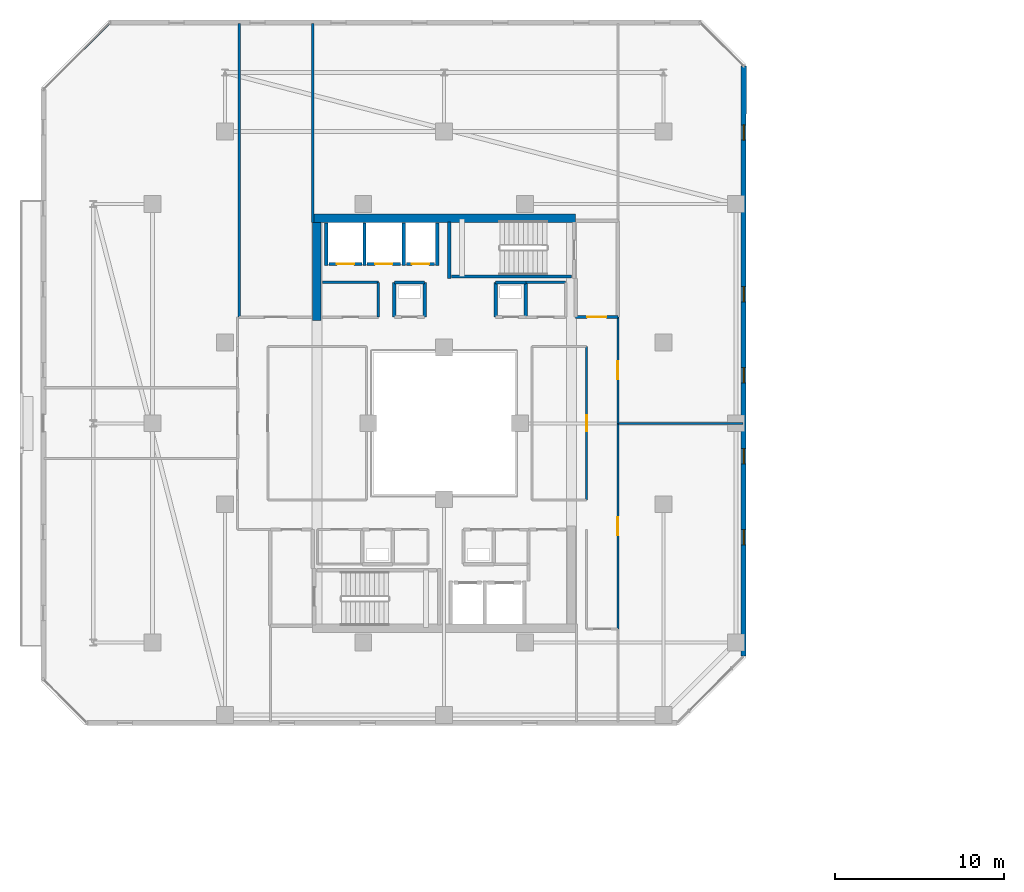
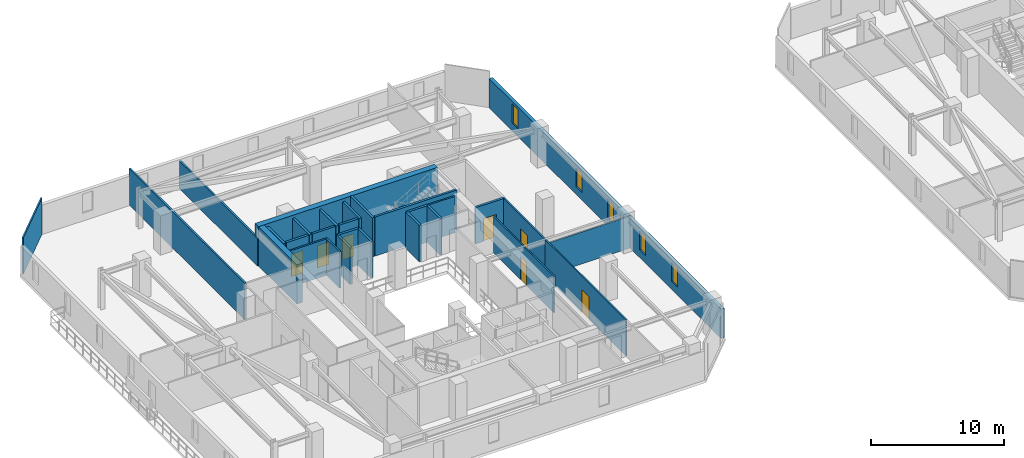
# One storey, part 21 of 33: 29 walls, 7 doors, 5 windows, 12 openings.
"""IFC4 building model written with IfcOpenShell, lengths in metres."""

from ifc_helpers import new_model, si_unit, direction, frame, frame_2d, origin, place, context, subcontext, project, spatial, rectangle, extrude, material, layer, layer_set, type_object, element, fill, save


model = new_model("IFC4")

# Units and contexts
model_context = context("Model", 3, precision=1e-05, world=origin(), true_north=direction((0.0, 1.0)))
body_context = subcontext(model_context, "Body", "Model", "MODEL_VIEW")
ifc_project = project(units=[si_unit("LENGTHUNIT", "METRE"), si_unit("AREAUNIT", "SQUARE_METRE"), si_unit("VOLUMEUNIT", "CUBIC_METRE"), si_unit("PLANEANGLEUNIT", "RADIAN"), si_unit("MASSUNIT", "GRAM", prefix="KILO")], contexts=[model_context])

# Site, building, storey
site_placement = place(None, origin())
site = spatial("IfcSite", under=ifc_project, at=site_placement, CompositionType="ELEMENT")
building_placement = place(site_placement, origin())
building = spatial("IfcBuilding", under=site, at=building_placement, Name="Thornwick Lancets Civic Towers", CompositionType="ELEMENT")
storey_placement = place(building_placement, frame((0.0, 0.0, 203.699951171875)))
storey = spatial("IfcBuildingStorey", under=building, at=storey_placement, Name="L54", CompositionType="ELEMENT", Elevation=203.699951171875)

# Wall, opening, door
ifc_material_1 = material(Name="Concrete blockwork C40/50", Category="masonry")
ifc_layer_1 = layer(ifc_material_1, 0.199951171875, Name="Concrete blockwork C40/50")
ifc_layer_set_1 = layer_set([ifc_layer_1], Name="Concrete blockwork C40/50")
wall_type_1 = type_object("IfcWallType", Name="WALL_COMP_200", PredefinedType="STANDARD", material=ifc_layer_set_1)
wall_1_placement = place(storey_placement, frame((24.919921875, 36.449951171875, 0.0), z_axis=(0.0, 0.0, 1.0), x_axis=(-1.0, 0.0, 0.0)))
wall_1 = element("IfcWall", 1, at=wall_1_placement, inside=storey, type_object=wall_type_1, Name="L54 Hoistway Front Wall FL-A2", PredefinedType="STANDARD", context=body_context, shape_type="SweptSolid", body=[
    extrude(rectangle(XDim=1.639892578125, YDim=0.199951171875, at=frame_2d((0.81982421875, 0.0))), origin(), (0.0, 0.0, 1.0), 3.340087890625),
])
opening_1_placement = place(wall_1_placement, frame((0.31005859375, 0.0, 0.0)))
opening_1 = element("IfcOpeningElement", 2, at=opening_1_placement, cuts=wall_1, Name="Opening LD-FL-A2", PredefinedType="OPENING", context=body_context, shape_type="SweptSolid", body=[
    extrude(rectangle(XDim=1.02001953125, YDim=2.06005859375, at=frame_2d((0.510009765625, 1.030029296875))), frame((0.0, 0.10986328125, 0.0), z_axis=(0.0, -1.0, 0.0), x_axis=(1.0, 0.0, 0.0)), (0.0, 0.0, 1.0), 0.219970703125),
])
ifc_material_2 = material(Name="Brushed bronze stainless steel", Category="steel")
door_type_1 = type_object("IfcDoorType", Name="DOOR_LIFT_SLIDE", OperationType="SLIDING_TO_LEFT", PredefinedType="DOOR", material=ifc_material_2)
door_1_placement = place(opening_1_placement, origin())
door_1 = element("IfcDoor", 3, at=door_1_placement, inside=storey, type_object=door_type_1, Name="L54 Sliding Lift Landing Door LD-FL-A2", OperationType="SLIDING_TO_LEFT", OverallHeight=2.06005859375, OverallWidth=1.02001953125, PredefinedType="DOOR", context=body_context, shape_type="SweptSolid", body=[
    extrude(rectangle(XDim=1.02001953125, YDim=2.06005859375, at=frame_2d((0.510009765625, 1.030029296875))), frame((0.0, 0.02490234375, 0.0), z_axis=(0.0, -1.0, 0.0), x_axis=(1.0, 0.0, 0.0)), (0.0, 0.0, 1.0), 0.050048828125),
])
fill(opening_1, door_1)

wall_2_placement = place(storey_placement, frame((22.919921875, 36.449951171875, 0.0), z_axis=(0.0, 0.0, 1.0), x_axis=(-1.0, 0.0, 0.0)))
wall_2 = element("IfcWall", 4, at=wall_2_placement, inside=storey, type_object=wall_type_1, Name="L54 Hoistway Front Wall PL-AH2", PredefinedType="STANDARD", context=body_context, shape_type="SweptSolid", body=[
    extrude(rectangle(XDim=1.989990234375, YDim=0.199951171875, at=frame_2d((0.9951171875, 0.0))), origin(), (0.0, 0.0, 1.0), 3.340087890625),
])
opening_2_placement = place(wall_2_placement, frame((0.485107421875, 0.0, 0.0)))
opening_2 = element("IfcOpeningElement", 5, at=opening_2_placement, cuts=wall_2, Name="Opening LD-PL-AH2", PredefinedType="OPENING", context=body_context, shape_type="SweptSolid", body=[
    extrude(rectangle(XDim=1.02001953125, YDim=2.06005859375, at=frame_2d((0.510009765625, 1.030029296875))), frame((0.0, 0.10986328125, 0.0), z_axis=(0.0, -1.0, 0.0), x_axis=(1.0, 0.0, 0.0)), (0.0, 0.0, 1.0), 0.219970703125),
])
door_2_placement = place(opening_2_placement, origin())
door_2 = element("IfcDoor", 6, at=door_2_placement, inside=storey, type_object=door_type_1, Name="L54 Sliding Lift Landing Door LD-PL-AH2", OperationType="SLIDING_TO_LEFT", OverallHeight=2.06005859375, OverallWidth=1.02001953125, PredefinedType="DOOR", context=body_context, shape_type="SweptSolid", body=[
    extrude(rectangle(XDim=1.02001953125, YDim=2.06005859375, at=frame_2d((0.510009765625, 1.030029296875))), frame((0.0, 0.02490234375, 0.0), z_axis=(0.0, -1.0, 0.0), x_axis=(1.0, 0.0, 0.0)), (0.0, 0.0, 1.0), 0.050048828125),
])
fill(opening_2, door_2)

wall_3_placement = place(storey_placement, frame((20.6201171875, 36.449951171875, 0.0), z_axis=(0.0, 0.0, 1.0), x_axis=(-1.0, 0.0, 0.0)))
wall_3 = element("IfcWall", 7, at=wall_3_placement, inside=storey, type_object=wall_type_1, Name="L54 Hoistway Front Wall PL-AH3", PredefinedType="STANDARD", context=body_context, shape_type="SweptSolid", body=[
    extrude(rectangle(XDim=1.940185546875, YDim=0.199951171875, at=frame_2d((0.97021484375, 0.0))), origin(), (0.0, 0.0, 1.0), 3.340087890625),
])
opening_3_placement = place(wall_3_placement, frame((0.4599609375, 0.0, 0.0)))
opening_3 = element("IfcOpeningElement", 8, at=opening_3_placement, cuts=wall_3, Name="Opening LD-PL-AH3", PredefinedType="OPENING", context=body_context, shape_type="SweptSolid", body=[
    extrude(rectangle(XDim=1.02001953125, YDim=2.06005859375, at=frame_2d((0.510009765625, 1.030029296875))), frame((0.0, 0.10986328125, 0.0), z_axis=(0.0, -1.0, 0.0), x_axis=(1.0, 0.0, 0.0)), (0.0, 0.0, 1.0), 0.219970703125),
])
door_3_placement = place(opening_3_placement, origin())
door_3 = element("IfcDoor", 9, at=door_3_placement, inside=storey, type_object=door_type_1, Name="L54 Sliding Lift Landing Door LD-PL-AH3", OperationType="SLIDING_TO_LEFT", OverallHeight=2.06005859375, OverallWidth=1.02001953125, PredefinedType="DOOR", context=body_context, shape_type="SweptSolid", body=[
    extrude(rectangle(XDim=1.02001953125, YDim=2.06005859375, at=frame_2d((0.510009765625, 1.030029296875))), frame((0.0, 0.02490234375, 0.0), z_axis=(0.0, -1.0, 0.0), x_axis=(1.0, 0.0, 0.0)), (0.0, 0.0, 1.0), 0.050048828125),
])
fill(opening_3, door_3)

# Walls
for number, where, z_axis, x_axis, name in (
    (10, (25.10009765625, 36.35205078125, 0.0), (0.0, 0.0, 1.0), (0.0, 1.0, 0.0), "L54 Hoistway Shaft Wall FL-A2 E"),
    (11, (23.10009765625, 36.35205078125, 0.0), (0.0, 0.0, 1.0), (0.0, 1.0, 0.0), "L54 Hoistway Shaft Wall FL-A2 W"),
    (12, (20.77490234375, 36.35205078125, 0.0), (0.0, 0.0, 1.0), (0.0, 1.0, 0.0), "L54 Hoistway Shaft Wall PL-AH2 W"),
    (13, (18.5, 36.35205078125, 0.0), (0.0, 0.0, 1.0), (0.0, 1.0, 0.0), "L54 Hoistway Shaft Wall PL-AH3 W"),
):
    element("IfcWall", number, at=place(storey_placement, frame(where, z_axis=z_axis, x_axis=x_axis)), inside=storey, type_object=wall_type_1, Name=name, PredefinedType="STANDARD", context=body_context, shape_type="SweptSolid", body=[
        extrude(rectangle(XDim=2.535888671875, YDim=0.199951171875, at=frame_2d((1.26806640625, 0.0))), origin(), (0.0, 0.0, 1.0), 3.340087890625),
    ])

# Wall, opening, door
wall_4_placement = place(storey_placement, frame((33.300048828125, 33.300048828125, 0.0), z_axis=(0.0, 0.0, 1.0), x_axis=(1.0, 0.0, 0.0)))
wall_4 = element("IfcWall", 14, at=wall_4_placement, inside=storey, type_object=wall_type_1, Name="L54 Partition L54-A-FFLOB2 E1", PredefinedType="STANDARD", context=body_context, shape_type="SweptSolid", body=[
    extrude(rectangle(XDim=2.5, YDim=0.199951171875, at=frame_2d((1.25, 0.0))), origin(), (0.0, 0.0, 1.0), 3.340087890625),
])
opening_4_placement = place(wall_4_placement, frame((0.675048828125, 0.0, 0.0)))
opening_4 = element("IfcOpeningElement", 15, at=opening_4_placement, cuts=wall_4, Name="Opening D-L54-2388", PredefinedType="OPENING", context=body_context, shape_type="SweptSolid", body=[
    extrude(rectangle(XDim=1.14990234375, YDim=2.10009765625, at=frame_2d((0.574951171875, 1.050048828125))), frame((0.0, 0.10986328125, 0.0), z_axis=(0.0, -1.0, 0.0), x_axis=(1.0, 0.0, 0.0)), (0.0, 0.0, 1.0), 0.219970703125),
])
ifc_material_3 = material(Name="Glazed fire-resisting steel", Category="steel")
door_type_2 = type_object("IfcDoorType", Name="DOOR_LOBBY_FD60", OperationType="NOTDEFINED", PredefinedType="DOOR", material=ifc_material_3)
door_4_placement = place(opening_4_placement, origin())
door_4 = element("IfcDoor", 16, at=door_4_placement, inside=storey, type_object=door_type_2, Name="L54 North Firefighting Lobby 2 Door", OperationType="SINGLE_SWING_LEFT", OverallHeight=2.10009765625, OverallWidth=1.14990234375, PredefinedType="DOOR", context=body_context, shape_type="SweptSolid", body=[
    extrude(rectangle(XDim=1.14990234375, YDim=2.10009765625, at=frame_2d((0.574951171875, 1.050048828125))), frame((0.0, 0.02490234375, 0.0), z_axis=(0.0, -1.0, 0.0), x_axis=(1.0, 0.0, 0.0)), (0.0, 0.0, 1.0), 0.050048828125),
])
fill(opening_4, door_4)

# Walls
wall_5_placement = place(storey_placement, frame((24.35009765625, 33.300048828125, 0.0), z_axis=(0.0, 0.0, 1.0), x_axis=(0.0, 1.0, 0.0)))
element("IfcWall", 17, at=wall_5_placement, inside=storey, type_object=wall_type_1, Name="L54 Partition L54-A-DUCT2 E2", PredefinedType="STANDARD", context=body_context, shape_type="SweptSolid", body=[
    extrude(rectangle(XDim=2.050048828125, YDim=0.199951171875, at=frame_2d((1.02490234375, 0.0))), origin(), (0.0, 0.0, 1.0), 3.340087890625),
])
wall_6_placement = place(storey_placement, frame((24.35009765625, 35.35009765625, 0.0), z_axis=(0.0, 0.0, 1.0), x_axis=(-1.0, 0.0, 0.0)))
element("IfcWall", 18, at=wall_6_placement, inside=storey, type_object=wall_type_1, Name="L54 Partition L54-A-DUCT2 E3", PredefinedType="STANDARD", context=body_context, shape_type="SweptSolid", body=[
    extrude(rectangle(XDim=1.800048828125, YDim=0.199951171875, at=frame_2d((0.89990234375, 0.0))), origin(), (0.0, 0.0, 1.0), 3.340087890625),
])
for number, where, z_axis, x_axis, name in (
    (19, (22.550048828125, 35.35009765625, 0.0), (0.0, 0.0, 1.0), (0.0, -1.0, 0.0), "L54 Partition L54-A-DUCT2 E4"),
    (20, (30.35009765625, 33.300048828125, 0.0), (0.0, 0.0, 1.0), (0.0, 1.0, 0.0), "L54 Partition L54-A-RISER2 E2"),
):
    element("IfcWall", number, at=place(storey_placement, frame(where, z_axis=z_axis, x_axis=x_axis)), inside=storey, type_object=wall_type_1, Name=name, PredefinedType="STANDARD", context=body_context, shape_type="SweptSolid", body=[
        extrude(rectangle(XDim=2.050048828125, YDim=0.199951171875, at=frame_2d((1.02490234375, 0.0))), origin(), (0.0, 0.0, 1.0), 3.340087890625),
    ])
wall_7_placement = place(storey_placement, frame((30.35009765625, 35.35009765625, 0.0), z_axis=(0.0, 0.0, 1.0), x_axis=(-1.0, 0.0, 0.0)))
element("IfcWall", 21, at=wall_7_placement, inside=storey, type_object=wall_type_1, Name="L54 Partition L54-A-RISER2 E3", PredefinedType="STANDARD", context=body_context, shape_type="SweptSolid", body=[
    extrude(rectangle(XDim=1.800048828125, YDim=0.199951171875, at=frame_2d((0.89990234375, 0.0))), origin(), (0.0, 0.0, 1.0), 3.340087890625),
])
wall_8_placement = place(storey_placement, frame((28.550048828125, 35.35009765625, 0.0), z_axis=(0.0, 0.0, 1.0), x_axis=(0.0, -1.0, 0.0)))
element("IfcWall", 22, at=wall_8_placement, inside=storey, type_object=wall_type_1, Name="L54 Partition L54-A-RISER2 E4", PredefinedType="STANDARD", context=body_context, shape_type="SweptSolid", body=[
    extrude(rectangle(XDim=2.050048828125, YDim=0.199951171875, at=frame_2d((1.02490234375, 0.0))), origin(), (0.0, 0.0, 1.0), 3.340087890625),
])
ifc_material_4 = material(Name="Concrete C50/60", Category="concrete")
ifc_layer_2 = layer(ifc_material_4, 0.5, Name="Concrete C50/60")
ifc_layer_set_2 = layer_set([ifc_layer_2], Name="Concrete C50/60")
wall_type_2 = type_object("IfcWallType", Name="WALL_CORE_500", PredefinedType="SHEAR", material=ifc_layer_set_2)
wall_9_placement = place(storey_placement, frame((17.699951171875, 39.14990234375, 0.0), z_axis=(0.0, 0.0, 1.0), x_axis=(1.0, 0.0, 0.0)))
element("IfcWall", 23, at=wall_9_placement, inside=storey, type_object=wall_type_2, Name="L54 Split Core A2 Shear Wall N", PredefinedType="SHEAR", context=body_context, shape_type="SweptSolid", body=[
    extrude(rectangle(XDim=15.60009765625, YDim=0.5, at=frame_2d((7.800048828125, 0.0))), origin(), (0.0, 0.0, 1.0), 3.60009765625),
])
wall_10_placement = place(storey_placement, frame((17.949951171875, 33.10009765625, 0.0), z_axis=(0.0, 0.0, 1.0), x_axis=(0.0, 1.0, 0.0)))
element("IfcWall", 24, at=wall_10_placement, inside=storey, type_object=wall_type_2, Name="L54 Split Core A2 Shear Wall W", PredefinedType="SHEAR", context=body_context, shape_type="SweptSolid", body=[
    extrude(rectangle(XDim=5.7998046875, YDim=0.5, at=frame_2d((2.89990234375, 0.0))), origin(), (0.0, 0.0, 1.0), 3.60009765625),
])

# Wall, openings, windows
ifc_material_5 = material(Name="Insulated russet terracotta rainscreen on concrete C40/50", Category="masonry")
ifc_layer_3 = layer(ifc_material_5, 0.300048828125, Name="Insulated russet terracotta rainscreen on concrete C40/50")
ifc_layer_set_3 = layer_set([ifc_layer_3], Name="Insulated russet terracotta rainscreen on concrete C40/50")
wall_type_3 = type_object("IfcWallType", Name="WALL_EXT_RUSSET_300", PredefinedType="STANDARD", material=ifc_layer_set_3)
wall_11_placement = place(storey_placement, frame((43.260009765625, 13.1982421875, 0.0), z_axis=(0.0, 0.0, 1.0), x_axis=(0.000132597301, 0.999999991209, 0.0)))
wall_11 = element("IfcWall", 25, at=wall_11_placement, inside=storey, type_object=wall_type_3, Name="L54 Tower A Terracotta Facade Wall E2", PredefinedType="STANDARD", context=body_context, shape_type="SweptSolid", body=[
    extrude(rectangle(XDim=34.983154296875, YDim=0.300048828125, at=frame_2d((17.49169921875, 0.0))), origin(), (0.0, 0.0, 1.0), 2.699951171875),
])
opening_5_placement = place(wall_11_placement, frame((6.60009765625, 0.0, 0.719970703125)))
opening_5 = element("IfcOpeningElement", 26, at=opening_5_placement, cuts=wall_11, Name="Opening WL-01", PredefinedType="OPENING", context=body_context, shape_type="SweptSolid", body=[
    extrude(rectangle(XDim=0.89990234375, YDim=1.75, at=frame_2d((0.449951171875, 0.875))), frame((0.0, 0.16015625, 0.0), z_axis=(0.0, -1.0, 0.0), x_axis=(1.0, 0.0, 0.0)), (0.0, 0.0, 1.0), 0.320068359375),
])
opening_6_placement = place(wall_11_placement, frame((11.39990234375, 0.0, 0.719970703125)))
opening_6 = element("IfcOpeningElement", 27, at=opening_6_placement, cuts=wall_11, Name="Opening WL-01", PredefinedType="OPENING", context=body_context, shape_type="SweptSolid", body=[
    extrude(rectangle(XDim=0.89990234375, YDim=1.75, at=frame_2d((0.449951171875, 0.875))), frame((0.0, 0.16015625, 0.0), z_axis=(0.0, -1.0, 0.0), x_axis=(1.0, 0.0, 0.0)), (0.0, 0.0, 1.0), 0.320068359375),
])
opening_7_placement = place(wall_11_placement, frame((16.199951171875, 0.0, 0.719970703125)))
opening_7 = element("IfcOpeningElement", 28, at=opening_7_placement, cuts=wall_11, Name="Opening WL-01", PredefinedType="OPENING", context=body_context, shape_type="SweptSolid", body=[
    extrude(rectangle(XDim=0.89990234375, YDim=1.75, at=frame_2d((0.449951171875, 0.875))), frame((0.0, 0.16015625, 0.0), z_axis=(0.0, -1.0, 0.0), x_axis=(1.0, 0.0, 0.0)), (0.0, 0.0, 1.0), 0.320068359375),
])
opening_8_placement = place(wall_11_placement, frame((21.0, 0.0, 0.719970703125)))
opening_8 = element("IfcOpeningElement", 29, at=opening_8_placement, cuts=wall_11, Name="Opening WL-01", PredefinedType="OPENING", context=body_context, shape_type="SweptSolid", body=[
    extrude(rectangle(XDim=0.89990234375, YDim=1.75, at=frame_2d((0.449951171875, 0.875))), frame((0.0, 0.16015625, 0.0), z_axis=(0.0, -1.0, 0.0), x_axis=(1.0, 0.0, 0.0)), (0.0, 0.0, 1.0), 0.320068359375),
])
opening_9_placement = place(wall_11_placement, frame((30.60009765625, 0.0, 0.719970703125)))
opening_9 = element("IfcOpeningElement", 30, at=opening_9_placement, cuts=wall_11, Name="Opening WL-01", PredefinedType="OPENING", context=body_context, shape_type="SweptSolid", body=[
    extrude(rectangle(XDim=0.89990234375, YDim=1.75, at=frame_2d((0.449951171875, 0.875))), frame((0.0, 0.16015625, 0.0), z_axis=(0.0, -1.0, 0.0), x_axis=(1.0, 0.0, 0.0)), (0.0, 0.0, 1.0), 0.320068359375),
])
ifc_material_6 = material(Name="Clear low-e double glazing in bronze frame", Category="glass")
window_type = type_object("IfcWindowType", Name="WIN_LANCET_900", PartitioningType="SINGLE_PANEL", PredefinedType="WINDOW", material=ifc_material_6)
window_1_placement = place(opening_5_placement, origin())
window_1 = element("IfcWindow", 31, at=window_1_placement, inside=storey, type_object=window_type, Name="L54 Tower A Staggered Lancet Window E2-1", OverallHeight=1.75, OverallWidth=0.89990234375, PartitioningType="SINGLE_PANEL", PredefinedType="WINDOW", context=body_context, shape_type="SweptSolid", body=[
    extrude(rectangle(XDim=0.89990234375, YDim=1.75, at=frame_2d((0.449951171875, 0.875))), frame((0.0, 0.030029296875, 0.0), z_axis=(0.0, -1.0, 0.0), x_axis=(1.0, 0.0, 0.0)), (0.0, 0.0, 1.0), 0.06005859375),
])
fill(opening_5, window_1)
window_2_placement = place(opening_6_placement, origin())
window_2 = element("IfcWindow", 32, at=window_2_placement, inside=storey, type_object=window_type, Name="L54 Tower A Staggered Lancet Window E2-2", OverallHeight=1.75, OverallWidth=0.89990234375, PartitioningType="SINGLE_PANEL", PredefinedType="WINDOW", context=body_context, shape_type="SweptSolid", body=[
    extrude(rectangle(XDim=0.89990234375, YDim=1.75, at=frame_2d((0.449951171875, 0.875))), frame((0.0, 0.030029296875, 0.0), z_axis=(0.0, -1.0, 0.0), x_axis=(1.0, 0.0, 0.0)), (0.0, 0.0, 1.0), 0.06005859375),
])
fill(opening_6, window_2)
window_3_placement = place(opening_7_placement, origin())
window_3 = element("IfcWindow", 33, at=window_3_placement, inside=storey, type_object=window_type, Name="L54 Tower A Staggered Lancet Window E2-3", OverallHeight=1.75, OverallWidth=0.89990234375, PartitioningType="SINGLE_PANEL", PredefinedType="WINDOW", context=body_context, shape_type="SweptSolid", body=[
    extrude(rectangle(XDim=0.89990234375, YDim=1.75, at=frame_2d((0.449951171875, 0.875))), frame((0.0, 0.030029296875, 0.0), z_axis=(0.0, -1.0, 0.0), x_axis=(1.0, 0.0, 0.0)), (0.0, 0.0, 1.0), 0.06005859375),
])
fill(opening_7, window_3)
window_4_placement = place(opening_8_placement, origin())
window_4 = element("IfcWindow", 34, at=window_4_placement, inside=storey, type_object=window_type, Name="L54 Tower A Staggered Lancet Window E2-4", OverallHeight=1.75, OverallWidth=0.89990234375, PartitioningType="SINGLE_PANEL", PredefinedType="WINDOW", context=body_context, shape_type="SweptSolid", body=[
    extrude(rectangle(XDim=0.89990234375, YDim=1.75, at=frame_2d((0.449951171875, 0.875))), frame((0.0, 0.030029296875, 0.0), z_axis=(0.0, -1.0, 0.0), x_axis=(1.0, 0.0, 0.0)), (0.0, 0.0, 1.0), 0.06005859375),
])
fill(opening_8, window_4)
window_5_placement = place(opening_9_placement, origin())
window_5 = element("IfcWindow", 35, at=window_5_placement, inside=storey, type_object=window_type, Name="L54 Tower A Staggered Lancet Window E2-5", OverallHeight=1.75, OverallWidth=0.89990234375, PartitioningType="SINGLE_PANEL", PredefinedType="WINDOW", context=body_context, shape_type="SweptSolid", body=[
    extrude(rectangle(XDim=0.89990234375, YDim=1.75, at=frame_2d((0.449951171875, 0.875))), frame((0.0, 0.030029296875, 0.0), z_axis=(0.0, -1.0, 0.0), x_axis=(1.0, 0.0, 0.0)), (0.0, 0.0, 1.0), 0.06005859375),
])
fill(opening_9, window_5)

# Wall
ifc_material_7 = material(Name="Acoustic gypsum board partition")
ifc_layer_4 = layer(ifc_material_7, 0.1201171875, Name="Acoustic gypsum board partition")
ifc_layer_set_4 = layer_set([ifc_layer_4], Name="Acoustic gypsum board partition")
wall_type_4 = type_object("IfcWallType", Name="WALL_PART_120", PredefinedType="PARTITIONING", material=ifc_layer_set_4)
wall_12_placement = place(storey_placement, frame((1.780029296875, 46.84033203125, 0.0), z_axis=(0.0, 0.0, 1.0), x_axis=(0.707106781187, 0.707106781187, 0.0)))
element("IfcWall", 36, at=wall_12_placement, inside=storey, type_object=wall_type_4, Name="L54 Partition L54-A-W2B E2", PredefinedType="PARTITIONING", context=body_context, shape_type="SweptSolid", body=[
    extrude(rectangle(XDim=5.486572265625, YDim=0.1201171875, at=frame_2d((2.7431640625, 0.0))), origin(), (0.0, 0.0, 1.0), 3.340087890625),
])

# Wall, opening, door
wall_13_placement = place(storey_placement, frame((35.800048828125, 14.800048828125, 0.0), z_axis=(0.0, 0.0, 1.0), x_axis=(0.0, 1.0, 0.0)))
wall_13 = element("IfcWall", 37, at=wall_13_placement, inside=storey, type_object=wall_type_4, Name="L54 Partition L54-A-E1 E3", PredefinedType="PARTITIONING", context=body_context, shape_type="SweptSolid", body=[
    extrude(rectangle(XDim=12.199951171875, YDim=0.1201171875, at=frame_2d((6.10009765625, 0.0))), origin(), (0.0, 0.0, 1.0), 3.340087890625),
])
opening_10_placement = place(wall_13_placement, frame((5.574951171875, 0.0, 0.0)))
opening_10 = element("IfcOpeningElement", 38, at=opening_10_placement, cuts=wall_13, Name="Opening D-L54-2417", PredefinedType="OPENING", context=body_context, shape_type="SweptSolid", body=[
    extrude(rectangle(XDim=1.050048828125, YDim=2.10009765625, at=frame_2d((0.52490234375, 1.050048828125))), frame((0.0, 0.070068359375, 0.0), z_axis=(0.0, -1.0, 0.0), x_axis=(1.0, 0.0, 0.0)), (0.0, 0.0, 1.0), 0.14013671875),
])
ifc_material_8 = material(Name="Glazed European oak executive doorset")
door_type_3 = type_object("IfcDoorType", Name="DOOR_OFFICE_1050", OperationType="NOTDEFINED", PredefinedType="DOOR", material=ifc_material_8)
door_5_placement = place(opening_10_placement, origin())
door_5 = element("IfcDoor", 39, at=door_5_placement, inside=storey, type_object=door_type_3, Name="L54 Tower A Secretariat Open Office E1 Door", OperationType="SINGLE_SWING_RIGHT", OverallHeight=2.10009765625, OverallWidth=1.050048828125, PredefinedType="DOOR", context=body_context, shape_type="SweptSolid", body=[
    extrude(rectangle(XDim=1.050048828125, YDim=2.10009765625, at=frame_2d((0.52490234375, 1.050048828125))), frame((0.0, 0.02490234375, 0.0), z_axis=(0.0, -1.0, 0.0), x_axis=(1.0, 0.0, 0.0)), (0.0, 0.0, 1.0), 0.050048828125),
])
fill(opening_10, door_5)

# Wall
wall_14_placement = place(storey_placement, frame((35.800048828125, 27.0, 0.0), z_axis=(0.0, 0.0, 1.0), x_axis=(1.0, 0.0, 0.0)))
element("IfcWall", 40, at=wall_14_placement, inside=storey, type_object=wall_type_4, Name="L54 Partition L54-A-E1 E4", PredefinedType="PARTITIONING", context=body_context, shape_type="SweptSolid", body=[
    extrude(rectangle(XDim=7.419921875, YDim=0.1201171875, at=frame_2d((3.7099609375, 0.0))), origin(), (0.0, 0.0, 1.0), 2.93212890625),
])

# Wall, opening, door
wall_15_placement = place(storey_placement, frame((35.800048828125, 27.0, 0.0), z_axis=(0.0, 0.0, 1.0), x_axis=(0.0, 1.0, 0.0)))
wall_15 = element("IfcWall", 41, at=wall_15_placement, inside=storey, type_object=wall_type_4, Name="L54 Partition L54-A-E2 E7", PredefinedType="PARTITIONING", context=body_context, shape_type="SweptSolid", body=[
    extrude(rectangle(XDim=6.300048828125, YDim=0.1201171875, at=frame_2d((3.14990234375, 0.0))), origin(), (0.0, 0.0, 1.0), 3.340087890625),
])
opening_11_placement = place(wall_15_placement, frame((2.625, 0.0, 0.0)))
opening_11 = element("IfcOpeningElement", 42, at=opening_11_placement, cuts=wall_15, Name="Opening D-L54-2418", PredefinedType="OPENING", context=body_context, shape_type="SweptSolid", body=[
    extrude(rectangle(XDim=1.050048828125, YDim=2.10009765625, at=frame_2d((0.52490234375, 1.050048828125))), frame((0.0, 0.070068359375, 0.0), z_axis=(0.0, -1.0, 0.0), x_axis=(1.0, 0.0, 0.0)), (0.0, 0.0, 1.0), 0.14013671875),
])
door_6_placement = place(opening_11_placement, origin())
door_6 = element("IfcDoor", 43, at=door_6_placement, inside=storey, type_object=door_type_3, Name="L54 Tower A Visitors Reception and Waiting Door", OperationType="SINGLE_SWING_LEFT", OverallHeight=2.10009765625, OverallWidth=1.050048828125, PredefinedType="DOOR", context=body_context, shape_type="SweptSolid", body=[
    extrude(rectangle(XDim=1.050048828125, YDim=2.10009765625, at=frame_2d((0.52490234375, 1.050048828125))), frame((0.0, 0.02490234375, 0.0), z_axis=(0.0, -1.0, 0.0), x_axis=(1.0, 0.0, 0.0)), (0.0, 0.0, 1.0), 0.050048828125),
])
fill(opening_11, door_6)

wall_16_placement = place(storey_placement, frame((33.949951171875, 31.550048828125, 0.0), z_axis=(0.0, 0.0, 1.0), x_axis=(0.0, -1.0, 0.0)))
wall_16 = element("IfcWall", 44, at=wall_16_placement, inside=storey, type_object=wall_type_4, Name="L54 Partition L54-A-E-ATRIUM-OFF E3", PredefinedType="PARTITIONING", context=body_context, shape_type="SweptSolid", body=[
    extrude(rectangle(XDim=9.10009765625, YDim=0.1201171875, at=frame_2d((4.550048828125, 0.0))), origin(), (0.0, 0.0, 1.0), 3.340087890625),
])
opening_12_placement = place(wall_16_placement, frame((4.074951171875, 0.0, 0.0)))
opening_12 = element("IfcOpeningElement", 45, at=opening_12_placement, cuts=wall_16, Name="Opening D-L54-2419", PredefinedType="OPENING", context=body_context, shape_type="SweptSolid", body=[
    extrude(rectangle(XDim=0.949951171875, YDim=2.10009765625, at=frame_2d((0.47509765625, 1.050048828125))), frame((0.0, 0.070068359375, 0.0), z_axis=(0.0, -1.0, 0.0), x_axis=(1.0, 0.0, 0.0)), (0.0, 0.0, 1.0), 0.14013671875),
])
ifc_material_9 = material(Name="European oak acoustic doorset")
door_type_4 = type_object("IfcDoorType", Name="DOOR_OFFICE_950", OperationType="NOTDEFINED", PredefinedType="DOOR", material=ifc_material_9)
door_7_placement = place(opening_12_placement, origin())
door_7 = element("IfcDoor", 46, at=door_7_placement, inside=storey, type_object=door_type_4, Name="L54 Tower A Atrium Policy Office Door", OperationType="SINGLE_SWING_RIGHT", OverallHeight=2.10009765625, OverallWidth=0.949951171875, PredefinedType="DOOR", context=body_context, shape_type="SweptSolid", body=[
    extrude(rectangle(XDim=0.949951171875, YDim=2.10009765625, at=frame_2d((0.47509765625, 1.050048828125))), frame((0.0, 0.02490234375, 0.0), z_axis=(0.0, -1.0, 0.0), x_axis=(1.0, 0.0, 0.0)), (0.0, 0.0, 1.0), 0.050048828125),
])
fill(opening_12, door_7)

# Walls
ifc_material_10 = material(Name="Twin-stud acoustic gypsum board")
ifc_layer_5 = layer(ifc_material_10, 0.14990234375, Name="Twin-stud acoustic gypsum board")
ifc_layer_set_5 = layer_set([ifc_layer_5], Name="Twin-stud acoustic gypsum board")
wall_type_5 = type_object("IfcWallType", Name="WALL_PART_150", PredefinedType="PARTITIONING", material=ifc_layer_set_5)
wall_17_placement = place(storey_placement, frame((21.60009765625, 33.300048828125, 0.0), z_axis=(0.0, 0.0, 1.0), x_axis=(0.0, 1.0, 0.0)))
element("IfcWall", 47, at=wall_17_placement, inside=storey, type_object=wall_type_5, Name="L54 Partition L54-A-MWC E2", PredefinedType="PARTITIONING", context=body_context, shape_type="SweptSolid", body=[
    extrude(rectangle(XDim=2.050048828125, YDim=0.14990234375, at=frame_2d((1.02490234375, 0.0))), origin(), (0.0, 0.0, 1.0), 3.340087890625),
])
wall_18_placement = place(storey_placement, frame((21.60009765625, 35.35009765625, 0.0), z_axis=(0.0, 0.0, 1.0), x_axis=(-1.0, 0.0, 0.0)))
element("IfcWall", 48, at=wall_18_placement, inside=storey, type_object=wall_type_5, Name="L54 Partition L54-A-MWC E3", PredefinedType="PARTITIONING", context=body_context, shape_type="SweptSolid", body=[
    extrude(rectangle(XDim=3.300048828125, YDim=0.14990234375, at=frame_2d((1.64990234375, 0.0))), origin(), (0.0, 0.0, 1.0), 3.340087890625),
])
wall_19_placement = place(storey_placement, frame((30.35009765625, 35.35009765625, 0.0), z_axis=(0.0, 0.0, 1.0), x_axis=(1.0, 0.0, 0.0)))
element("IfcWall", 49, at=wall_19_placement, inside=storey, type_object=wall_type_5, Name="L54 Partition L54-A-FWC E4", PredefinedType="PARTITIONING", context=body_context, shape_type="SweptSolid", body=[
    extrude(rectangle(XDim=2.349853515625, YDim=0.14990234375, at=frame_2d((1.1748046875, 0.0))), origin(), (0.0, 0.0, 1.0), 3.340087890625),
])
wall_20_placement = place(storey_placement, frame((13.35009765625, 33.300048828125, 0.0), z_axis=(0.0, 0.0, 1.0), x_axis=(0.0, 1.0, 0.0)))
element("IfcWall", 50, at=wall_20_placement, inside=storey, type_object=wall_type_5, Name="L54 Partition L54-A-RECLAIM-M1 E1", PredefinedType="PARTITIONING", context=body_context, shape_type="SweptSolid", body=[
    extrude(rectangle(XDim=17.419921875, YDim=0.14990234375, at=frame_2d((8.7099609375, 0.0))), origin(), (0.0, 0.0, 1.0), 3.340087890625),
])
wall_21_placement = place(storey_placement, frame((17.699951171875, 50.719970703125, 0.0), z_axis=(0.0, 0.0, 1.0), x_axis=(0.0, -1.0, 0.0)))
element("IfcWall", 51, at=wall_21_placement, inside=storey, type_object=wall_type_5, Name="L54 Partition L54-A-RECLAIM-M1 E3", PredefinedType="PARTITIONING", context=body_context, shape_type="SweptSolid", body=[
    extrude(rectangle(XDim=11.820068359375, YDim=0.14990234375, at=frame_2d((5.91015625, 0.0))), origin(), (0.0, 0.0, 1.0), 2.545166015625),
])
ifc_material_11 = material(Name="Concrete C40/50", Category="concrete")
ifc_layer_6 = layer(ifc_material_11, 0.199951171875, Name="Concrete C40/50")
ifc_layer_set_6 = layer_set([ifc_layer_6], Name="Concrete C40/50")
wall_type_6 = type_object("IfcWallType", Name="WALL_SHAFT_200", PredefinedType="SHEAR", material=ifc_layer_set_6)
wall_22_placement = place(storey_placement, frame((25.800048828125, 35.60009765625, 0.0), z_axis=(0.0, 0.0, 1.0), x_axis=(0.0, 1.0, 0.0)))
element("IfcWall", 52, at=wall_22_placement, inside=storey, type_object=wall_type_6, Name="L54 ST-A2 Fire Stair Core Wall FAR", PredefinedType="SHEAR", context=body_context, shape_type="SweptSolid", body=[
    extrude(rectangle(XDim=3.349853515625, YDim=0.199951171875, at=frame_2d((1.6748046875, 0.0))), origin(), (0.0, 0.0, 1.0), 3.60009765625),
])
wall_23_placement = place(storey_placement, frame((25.949951171875, 35.702880859375, 0.0), z_axis=(0.0, 0.0, 1.0), x_axis=(1.0, 0.0, 0.0)))
element("IfcWall", 53, at=wall_23_placement, inside=storey, type_object=wall_type_6, Name="L54 ST-A2 Fire Stair Core Wall RIGHT", PredefinedType="SHEAR", context=body_context, shape_type="SweptSolid", body=[
    extrude(rectangle(XDim=7.10009765625, YDim=0.199951171875, at=frame_2d((3.550048828125, 0.0))), origin(), (0.0, 0.0, 1.0), 3.60009765625),
])

save(model, "model.ifc")
